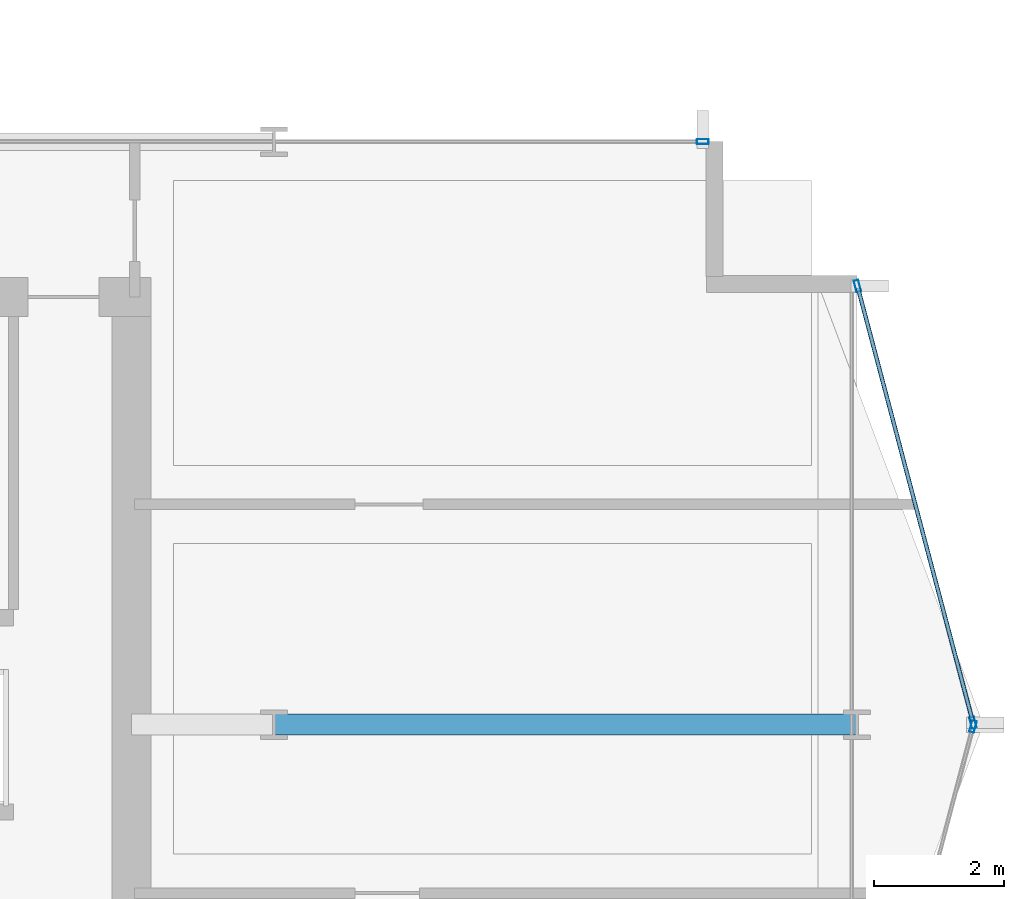
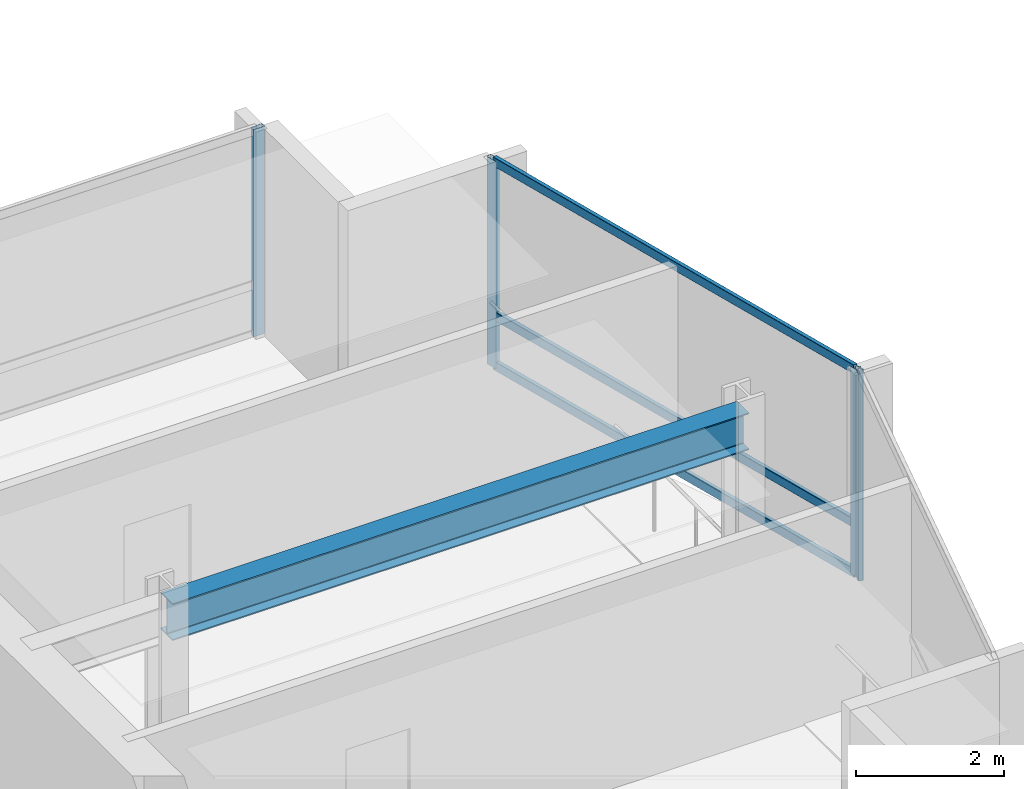
# One storey, part 14 of 28: 7 members, 1 beam, 3 elements without a shape of their own.
"""IFC4 building model written with IfcOpenShell, lengths in metres."""

from ifc_helpers import new_model, si_unit, direction, frame, origin, origin_2d, place, context, subcontext, project, spatial, hollow_rectangle, i_section, extrude, material, layer, layer_set, material_profile, profile_set, type_object, element, aggregate, save


model = new_model("IFC4")

# Units and contexts
model_context = context("Model", 3, precision=1e-05, world=origin(), true_north=direction((0.0, 1.0)))
body_context = subcontext(model_context, "Body", "Model", "MODEL_VIEW")
ifc_project = project(units=[si_unit("LENGTHUNIT", "METRE"), si_unit("AREAUNIT", "SQUARE_METRE"), si_unit("VOLUMEUNIT", "CUBIC_METRE"), si_unit("PLANEANGLEUNIT", "RADIAN"), si_unit("MASSUNIT", "GRAM", prefix="KILO")], contexts=[model_context])

# Site, building, storey
site_placement = place(None, origin())
site = spatial("IfcSite", under=ifc_project, at=site_placement, CompositionType="ELEMENT")
building_placement = place(site_placement, origin())
building = spatial("IfcBuilding", under=site, at=building_placement, Name="Solvaryn Broadcast Tower", CompositionType="ELEMENT")
storey_placement = place(building_placement, frame((0.0, 0.0, 110.0)))
storey = spatial("IfcBuildingStorey", under=building, at=storey_placement, Name="L26", CompositionType="ELEMENT", Elevation=110.0)

# Beam
ifc_material_1 = material(Name="Steel ASTM A992 Grade 50", Category="steel")
ifc_material_profile_1 = material_profile(ifc_material_1, i_section(OverallWidth=0.323974609375, OverallDepth=0.611083984375, WebThickness=0.0126953125, FlangeThickness=0.01904296875, FilletRadius=0.014892578125, at=origin_2d()))
ifc_profile_set_1 = profile_set([ifc_material_profile_1], Name="Steel ASTM A992 Grade 50")
beam_type = type_object("IfcBeamType", Name="BM-B1-W24X104", PredefinedType="BEAM", material=ifc_profile_set_1)
beam_placement = place(storey_placement, frame((45.0, 18.0, 3.114501953125), z_axis=(1.0, 0.0, 0.0), x_axis=(0.0, 1.0, 0.0)))
element("IfcBeam", 1, at=beam_placement, inside=storey, type_object=beam_type, Name="L26 Primary Beam X (45-54 @ Y=18)", PredefinedType="BEAM", context=body_context, shape_type="SweptSolid", body=[
    extrude(i_section(OverallWidth=0.323974609375, OverallDepth=0.611083984375, WebThickness=0.0126953125, FlangeThickness=0.01904296875, FilletRadius=0.014892578125, at=origin_2d()), origin(), (0.0, 0.0, 1.0), 9.0),
])

# Curtain wall, members
ifc_material_2 = material(Name="Aluminium and Terracotta Unitised Curtain Wall", Category="masonry")
ifc_layer = layer(ifc_material_2, 0.199951171875)
ifc_layer_set = layer_set([ifc_layer], Name="CW-SYS2-LOWMID")
curtain_wall_type = type_object("IfcCurtainWallType", Name="CW-SYS2-LOWMID", PredefinedType="NOTDEFINED", material=ifc_layer_set)
curtain_wall_1_placement = place(storey_placement, origin())
curtain_wall_1 = element("IfcCurtainWall", 2, at=curtain_wall_1_placement, inside=storey, type_object=curtain_wall_type, Name="L26 Curtain Wall ET1", PredefinedType="NOTDEFINED")
ifc_material_3 = material(Name="Anodised Aluminium 6063-T6", Category="aluminium")
ifc_material_profile_2 = material_profile(ifc_material_3, hollow_rectangle(XDim=0.074951171875, YDim=0.179931640625, WallThickness=0.00390625, InnerFilletRadius=0.00390625, OuterFilletRadius=0.008056640625, at=origin_2d()))
ifc_profile_set_2 = profile_set([ifc_material_profile_2], Name="Anodised Aluminium 6063-T6")
member_type_1 = type_object("IfcMemberType", Name="CW-MUL-180", PredefinedType="MULLION", material=ifc_profile_set_2)
member_1_placement = place(storey_placement, frame((54.007568359375, 24.77099609375, 0.0), z_axis=(0.0, 0.0, 1.0), x_axis=(0.966705227863, 0.25589256031, 0.0)))
member_1 = element("IfcMember", 3, at=member_1_placement, type_object=member_type_1, Name="CWS2 mullion 1", PredefinedType="MULLION", context=body_context, shape_type="SweptSolid", body=[
    extrude(hollow_rectangle(XDim=0.074951171875, YDim=0.179931640625, WallThickness=0.00390625, InnerFilletRadius=0.00390625, OuterFilletRadius=0.008056640625, at=origin_2d()), origin(), (0.0, 0.0, 1.0), 3.419921875),
])
member_2_placement = place(storey_placement, frame((55.792236328125, 18.029052734375, 0.0), z_axis=(0.0, 0.0, 1.0), x_axis=(0.966705227863, 0.25589256031, 0.0)))
member_2 = element("IfcMember", 4, at=member_2_placement, type_object=member_type_1, Name="CWS2 mullion 2", PredefinedType="MULLION", context=body_context, shape_type="SweptSolid", body=[
    extrude(hollow_rectangle(XDim=0.074951171875, YDim=0.179931640625, WallThickness=0.00390625, InnerFilletRadius=0.00390625, OuterFilletRadius=0.008056640625, at=origin_2d()), origin(), (0.0, 0.0, 1.0), 3.419921875),
])

# Curtain wall, member
curtain_wall_2_placement = place(storey_placement, origin())
curtain_wall_2 = element("IfcCurtainWall", 5, at=curtain_wall_2_placement, inside=storey, type_object=curtain_wall_type, Name="L26 Curtain Wall ET2", PredefinedType="NOTDEFINED")
member_3_placement = place(storey_placement, frame((55.792236328125, 17.970947265625, 0.0), z_axis=(0.0, 0.0, 1.0), x_axis=(0.966705227863, -0.25589256031, 0.0)))
member_3 = element("IfcMember", 6, at=member_3_placement, type_object=member_type_1, Name="CWS2 mullion 1", PredefinedType="MULLION", context=body_context, shape_type="SweptSolid", body=[
    extrude(hollow_rectangle(XDim=0.074951171875, YDim=0.179931640625, WallThickness=0.00390625, InnerFilletRadius=0.00390625, OuterFilletRadius=0.008056640625, at=origin_2d()), origin(), (0.0, 0.0, 1.0), 3.419921875),
])
aggregate(curtain_wall_2, [member_3])

curtain_wall_3_placement = place(storey_placement, origin())
curtain_wall_3 = element("IfcCurtainWall", 7, at=curtain_wall_3_placement, inside=storey, type_object=curtain_wall_type, Name="L26 Curtain Wall IH", PredefinedType="NOTDEFINED")
member_4_placement = place(storey_placement, frame((51.6201171875, 27.0, 0.0), z_axis=(0.0, 0.0, 1.0), x_axis=(0.0, 1.0, 0.0)))
member_4 = element("IfcMember", 8, at=member_4_placement, type_object=member_type_1, Name="CWS2 mullion 2", PredefinedType="MULLION", context=body_context, shape_type="SweptSolid", body=[
    extrude(hollow_rectangle(XDim=0.074951171875, YDim=0.179931640625, WallThickness=0.00390625, InnerFilletRadius=0.00390625, OuterFilletRadius=0.008056640625, at=origin_2d()), origin(), (0.0, 0.0, 1.0), 3.419921875),
])
aggregate(curtain_wall_3, [member_4])

# Member
ifc_material_4 = material(Name="Anodised Aluminium 6063-T6", Category="aluminium")
ifc_material_profile_3 = material_profile(ifc_material_4, hollow_rectangle(XDim=0.06494140625, YDim=0.14990234375, WallThickness=0.00390625, InnerFilletRadius=0.00390625, OuterFilletRadius=0.008056640625, at=origin_2d()))
ifc_profile_set_3 = profile_set([ifc_material_profile_3], Name="Anodised Aluminium 6063-T6")
member_type_2 = type_object("IfcMemberType", Name="CW-TRN-150", PredefinedType="USERDEFINED", material=ifc_profile_set_3)
member_5_placement = place(storey_placement, frame((54.015380859375, 24.741943359375, 0.030029296875), z_axis=(0.255897413051, -0.966703943301, 0.0), x_axis=(0.966703943301, 0.255897413051, 0.0)))
member_5 = element("IfcMember", 9, at=member_5_placement, type_object=member_type_2, Name="CWS2 transom 1.1", ObjectType="TRANSOM", PredefinedType="USERDEFINED", context=body_context, shape_type="SweptSolid", body=[
    extrude(hollow_rectangle(XDim=0.06494140625, YDim=0.14990234375, WallThickness=0.00390625, InnerFilletRadius=0.00390625, OuterFilletRadius=0.008056640625, at=origin_2d()), origin(), (0.0, 0.0, 1.0), 6.9140625),
])

member_6_placement = place(storey_placement, frame((54.015380859375, 24.741943359375, 0.85009765625), z_axis=(0.255897413051, -0.966703943301, 0.0), x_axis=(0.966703943301, 0.255897413051, 0.0)))
member_6 = element("IfcMember", 10, at=member_6_placement, type_object=member_type_2, Name="CWS2 transom 1.2", ObjectType="TRANSOM", PredefinedType="USERDEFINED", context=body_context, shape_type="SweptSolid", body=[
    extrude(hollow_rectangle(XDim=0.06494140625, YDim=0.14990234375, WallThickness=0.00390625, InnerFilletRadius=0.00390625, OuterFilletRadius=0.008056640625, at=origin_2d()), origin(), (0.0, 0.0, 1.0), 6.9140625),
])

member_7_placement = place(storey_placement, frame((54.015380859375, 24.741943359375, 3.389892578125), z_axis=(0.255897413051, -0.966703943301, 0.0), x_axis=(0.966703943301, 0.255897413051, 0.0)))
member_7 = element("IfcMember", 11, at=member_7_placement, type_object=member_type_2, Name="CWS2 transom 1.3", ObjectType="TRANSOM", PredefinedType="USERDEFINED", context=body_context, shape_type="SweptSolid", body=[
    extrude(hollow_rectangle(XDim=0.06494140625, YDim=0.14990234375, WallThickness=0.00390625, InnerFilletRadius=0.00390625, OuterFilletRadius=0.008056640625, at=origin_2d()), origin(), (0.0, 0.0, 1.0), 6.9140625),
])

aggregate(curtain_wall_1, [member_1, member_2, member_5, member_6, member_7])

save(model, "model.ifc")
